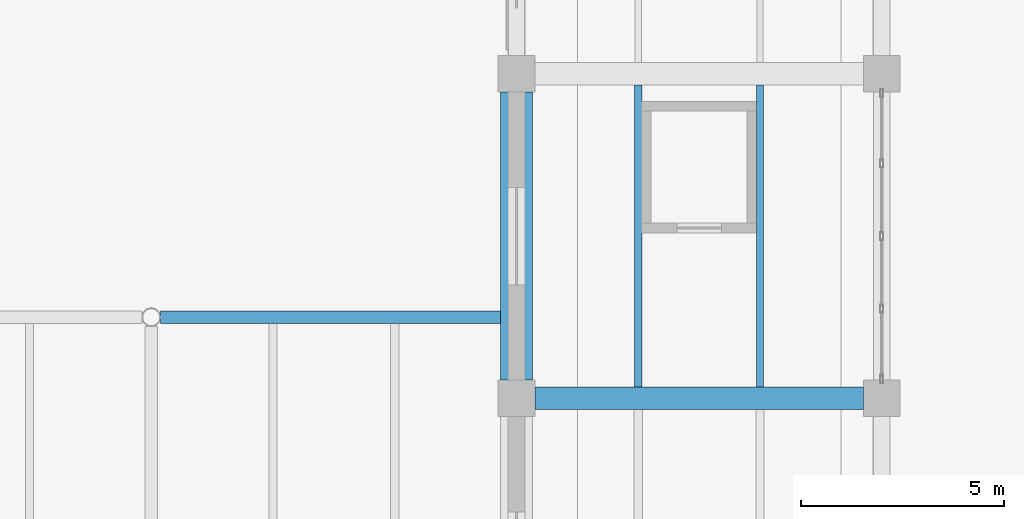
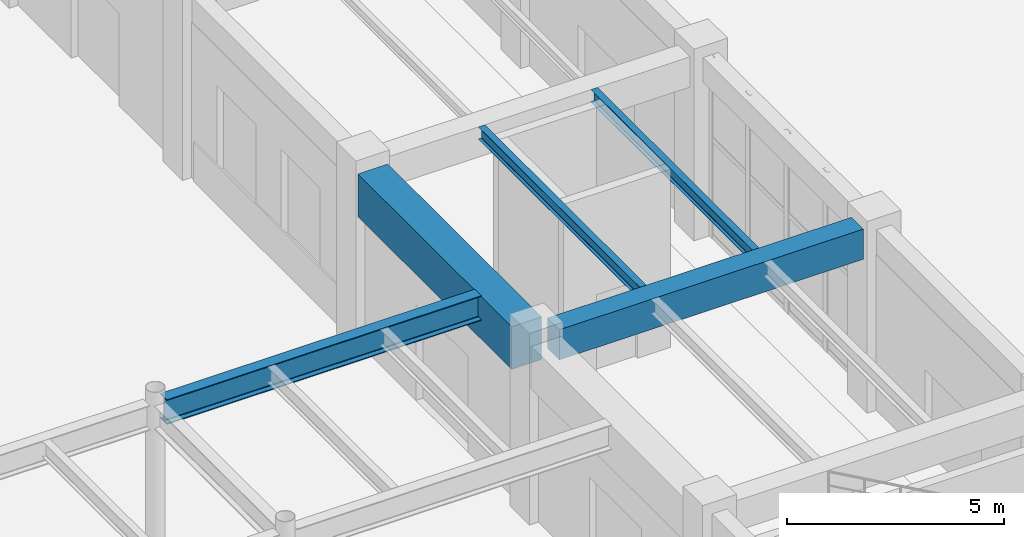
# One storey, part 30 of 121: 5 beams.
"""IFC4 building model written with IfcOpenShell, lengths in metres."""

import ifcopenshell
import ifcopenshell.guid

model = None  # the IFC model being written
_history = None  # IfcOwnerHistory: only IFC2X3 demands one
_inside = {}  # id of a spatial element -> (the spatial element, [elements in it])
_under = {}  # id of a project, library or spatial element -> (it, [spatial elements below it])
_declared = {}  # id of a project -> (the project, [libraries it declares])
_typed = {}  # id of a type object -> (the type object, [elements of that type])
_made_of = {}  # id of a material, layer set ... -> (it, [elements and type objects made of it])


def new_model(schema):
    """Start an empty IFC model of exactly this schema.

    Asked for "IFC4X3", IfcOpenShell would pick the latest addendum, in which some entities
    have other attributes; the version numbers below select the first issue.
    IFC2X3 requires an IfcOwnerHistory on every rooted entity: one is made here for all.
    """
    global model, _history
    if schema == "IFC4X3":
        model = ifcopenshell.file(schema_version=(4, 3, 0, 0))
    else:
        model = ifcopenshell.file(schema=schema)
    _inside.clear()
    _under.clear()
    _declared.clear()
    _typed.clear()
    _made_of.clear()
    _history = None
    if model.schema == "IFC2X3":
        org = make("IfcOrganization", Name="unknown")
        user = make(
            "IfcPersonAndOrganization",
            ThePerson=make("IfcPerson", FamilyName="unknown"),
            TheOrganization=org,
        )
        app = make(
            "IfcApplication",
            ApplicationDeveloper=org,
            Version="unknown",
            ApplicationFullName="unknown",
            ApplicationIdentifier="unknown",
        )
        _history = make(
            "IfcOwnerHistory",
            OwningUser=user,
            OwningApplication=app,
            ChangeAction="ADDED",
            CreationDate=0,
        )
    return model


def make(cls, **values):
    """One entity of the class cls with the attributes given. An attribute that is None is left unset."""
    return model.create_entity(
        cls, **{name: value for name, value in values.items() if value is not None}
    )


def rooted(cls, **values):
    """An entity with a GlobalId (a new one), such as an element, a storey or a relation."""
    return make(cls, GlobalId=ifcopenshell.guid.new(), OwnerHistory=_history, **values)


def si_unit(unit_type, name, prefix=None):
    """IfcSIUnit, for example si_unit("LENGTHUNIT", "METRE", prefix="MILLI")."""
    return make("IfcSIUnit", UnitType=unit_type, Prefix=prefix, Name=name)


def derived_unit(unit_type, elements):
    """IfcDerivedUnit: a product of units, each with its exponent."""
    return make(
        "IfcDerivedUnit",
        Elements=[
            make("IfcDerivedUnitElement", Unit=unit, Exponent=power)
            for unit, power in elements
        ],
        UnitType=unit_type,
    )


def assignment(units):
    """IfcUnitAssignment: the units of a project."""
    return None if units is None else make("IfcUnitAssignment", Units=units)


def point(xyz):
    """IfcCartesianPoint."""
    return None if xyz is None else make("IfcCartesianPoint", Coordinates=xyz)


def direction(xyz):
    """IfcDirection."""
    return None if xyz is None else make("IfcDirection", DirectionRatios=xyz)


def frame(location, z_axis=None, x_axis=None):
    """IfcAxis2Placement3D, a coordinate frame: its origin and axes. An axis left out is left unset."""
    return make(
        "IfcAxis2Placement3D",
        Location=point(location),
        Axis=direction(z_axis),
        RefDirection=direction(x_axis),
    )


def frame_2d(location, x_axis=None):
    """IfcAxis2Placement2D, a coordinate frame in the plane: its origin and x axis."""
    return make(
        "IfcAxis2Placement2D", Location=point(location), RefDirection=direction(x_axis)
    )


def origin():
    """The frame at (0, 0, 0) with its axes left unset."""
    return frame((0.0, 0.0, 0.0))


def origin_2d():
    """The frame at (0, 0) in the plane with its x axis left unset."""
    return frame_2d((0.0, 0.0))


def place(relative_to, where):
    """IfcLocalPlacement: puts the frame where relative to a parent placement (None: the world)."""
    return make(
        "IfcLocalPlacement", PlacementRelTo=relative_to, RelativePlacement=where
    )


def context(
    kind, dimensions, precision=None, world=None, true_north=None, identifier=None
):
    """IfcGeometricRepresentationContext, for example the 3D "Model" context."""
    return make(
        "IfcGeometricRepresentationContext",
        ContextIdentifier=identifier,
        ContextType=kind,
        CoordinateSpaceDimension=dimensions,
        Precision=precision,
        WorldCoordinateSystem=world,
        TrueNorth=true_north,
    )


def subcontext(parent, identifier, kind, view, scale=None):
    """IfcGeometricRepresentationSubContext, for example "Body" below "Model"."""
    return make(
        "IfcGeometricRepresentationSubContext",
        ContextIdentifier=identifier,
        ContextType=kind,
        ParentContext=parent,
        TargetScale=scale,
        TargetView=view,
    )


def project(units=None, contexts=None):
    """IfcProject with its units and contexts."""
    return rooted(
        "IfcProject",
        Name="project",
        RepresentationContexts=contexts,
        UnitsInContext=assignment(units),
    )


def spatial(cls, under=None, at=None, **own):
    """A site, building, storey or space (cls), placed at a placement, below another one or the project."""
    s = rooted(cls, ObjectPlacement=at, **own)
    if under is not None:
        _under.setdefault(under.id(), (under, []))[1].append(s)
    return s


def profile(cls, at=None, kind="AREA", **sizes):
    """A parametric profile (cls). Its sizes go by their IFC names, for example OverallWidth=200.0."""
    return make(cls, ProfileType=kind, Position=at, **sizes)


def rectangle(**sizes):
    """IfcRectangleProfileDef."""
    return profile("IfcRectangleProfileDef", **sizes)


def i_section(**sizes):
    """IfcIShapeProfileDef."""
    return profile("IfcIShapeProfileDef", **sizes)


def extrude(swept, where, along, depth):
    """IfcExtrudedAreaSolid: the profile swept, set in the frame where, extruded along a direction by depth."""
    return make(
        "IfcExtrudedAreaSolid",
        SweptArea=swept,
        Position=where,
        ExtrudedDirection=direction(along),
        Depth=depth,
    )


def shape(context_of_items, identifier, shape_type, items):
    """IfcShapeRepresentation: the items that make up one representation, for example the "Body"."""
    return make(
        "IfcShapeRepresentation",
        ContextOfItems=context_of_items,
        RepresentationIdentifier=identifier,
        RepresentationType=shape_type,
        Items=items,
    )


def material(Name=None, Category=None):
    """IfcMaterial."""
    return make("IfcMaterial", Name=Name, Category=Category)


def material_profile(
    of_material, cross_section, Name=None, Category=None, Priority=None
):
    """IfcMaterialProfile: a cross section and its material."""
    return make(
        "IfcMaterialProfile",
        Name=Name,
        Material=of_material,
        Profile=cross_section,
        Priority=Priority,
        Category=Category,
    )


def profile_set(profiles, Name=None, composite=None):
    """IfcMaterialProfileSet."""
    return make(
        "IfcMaterialProfileSet",
        Name=Name,
        MaterialProfiles=profiles,
        CompositeProfile=composite,
    )


def made_of(thing, what):
    """Note that an element or type object is made of a material, layer set ...; save() writes the relation."""
    if what is not None:
        _made_of.setdefault(what.id(), (what, []))[1].append(thing)
    return thing


def type_object(cls, material=None, **own):
    """A type object (cls), such as IfcWallType, which elements share."""
    return made_of(rooted(cls, **own), material)


def element(
    cls,
    number,
    at=None,
    inside=None,
    cuts=None,
    type_object=None,
    material=None,
    context=None,
    identifier="Body",
    shape_type=None,
    held_by="IfcProductDefinitionShape",
    body=None,
    shapes=None,
    **own,
):
    """One element of the class cls, such as IfcWall. Its Tag is "e" and its number.

    at: its placement. inside: the storey or other place that contains it. cuts: it is an
    opening in that element (IfcRelVoidsElement). A single representation is given by context,
    identifier, shape_type and body (its items); several are given by shapes. held_by: the class
    of the entity that holds the representations. save() writes the other relations.
    """
    e = rooted(cls, Tag="e%d" % number, ObjectPlacement=at, **own)
    if body is not None:
        shapes = [shape(context, identifier, shape_type, body)]
    if shapes is not None:
        e.Representation = make(held_by, Representations=shapes)
    if inside is not None:
        _inside.setdefault(inside.id(), (inside, []))[1].append(e)
    if cuts is not None:
        rooted(
            "IfcRelVoidsElement", RelatingBuildingElement=cuts, RelatedOpeningElement=e
        )
    if type_object is not None:
        _typed.setdefault(type_object.id(), (type_object, []))[1].append(e)
    return made_of(e, material)


def aggregate(whole, parts):
    """IfcRelAggregates: a whole, such as a stair, and the parts it consists of."""
    return rooted("IfcRelAggregates", RelatingObject=whole, RelatedObjects=parts)


def save(model, path):
    """Write the relations noted so far, then the file.

    IfcRelAggregates (storeys below a building ...), IfcRelContainedInSpatialStructure (elements
    in a storey), IfcRelDefinesByType, IfcRelAssociatesMaterial and IfcRelDeclares: one each for
    every whole, place, type object, material and project.
    """
    for whole, parts in _under.values():
        aggregate(whole, parts)
    for where, things in _inside.values():
        rooted(
            "IfcRelContainedInSpatialStructure",
            RelatedElements=things,
            RelatingStructure=where,
        )
    for kind, things in _typed.values():
        rooted("IfcRelDefinesByType", RelatedObjects=things, RelatingType=kind)
    for what, things in _made_of.values():
        rooted("IfcRelAssociatesMaterial", RelatedObjects=things, RelatingMaterial=what)
    for by, libraries in _declared.values():
        rooted("IfcRelDeclares", RelatingContext=by, RelatedDefinitions=libraries)
    model.write(path)


model = new_model("IFC4")

# Units and contexts
model_context = context("Model", 3, precision=1e-05, world=origin(), true_north=direction((0.0, 1.0)))
body_context = subcontext(model_context, "Body", "Model", "MODEL_VIEW")
ifc_project = project(units=[si_unit("LENGTHUNIT", "METRE"), si_unit("AREAUNIT", "SQUARE_METRE"), si_unit("VOLUMEUNIT", "CUBIC_METRE"), si_unit("PLANEANGLEUNIT", "RADIAN"), si_unit("MASSUNIT", "GRAM", prefix="KILO"), derived_unit("THERMALTRANSMITTANCEUNIT", [(si_unit("MASSUNIT", "GRAM", prefix="KILO"), 1), (si_unit("TIMEUNIT", "SECOND"), -3), (si_unit("THERMODYNAMICTEMPERATUREUNIT", "KELVIN"), -1)])], contexts=[model_context])

# Site, building, storey
site_placement = place(None, origin())
site = spatial("IfcSite", under=ifc_project, at=site_placement, CompositionType="ELEMENT")
building_placement = place(site_placement, origin())
building = spatial("IfcBuilding", under=site, at=building_placement, Name="Zhenchuan Archway Interchange", CompositionType="ELEMENT")
storey_placement = place(building_placement, origin())
storey = spatial("IfcBuildingStorey", under=building, at=storey_placement, Name="L00", CompositionType="ELEMENT", Elevation=0.0)

# Beams
ifc_material_1 = material(Name="Concrete C40", Category="concrete")
ifc_material_profile_1 = material_profile(ifc_material_1, rectangle(XDim=0.550048828125, YDim=0.85009765625, at=origin_2d()), Name="RC 550x850")
ifc_profile_set_1 = profile_set([ifc_material_profile_1], Name="Concrete C40")
beam_type_1 = type_object("IfcBeamType", Name="BM_RC_550x850", PredefinedType="BEAM", material=ifc_profile_set_1)
beam_1_placement = place(storey_placement, frame((99.449951171875, 56.0, 4.655029296875), z_axis=(1.0, 0.0, 0.0), x_axis=(0.0, 1.0, 0.0)))
element("IfcBeam", 1, at=beam_1_placement, inside=storey, type_object=beam_type_1, Name="Beam H:12-13 (L00)", PredefinedType="BEAM", context=body_context, shape_type="SweptSolid", body=[
    extrude(rectangle(XDim=0.550048828125, YDim=0.85009765625, at=origin_2d()), origin(), (0.0, 0.0, 1.0), 8.10009765625),
])
ifc_material_2 = material(Name="Concrete C50", Category="concrete")
ifc_material_profile_2 = material_profile(ifc_material_2, rectangle(XDim=0.800048828125, YDim=1.199951171875, at=origin_2d()), Name="RC 800x1200")
ifc_profile_set_2 = profile_set([ifc_material_profile_2], Name="Concrete C50")
beam_type_2 = type_object("IfcBeamType", Name="BM_RC_800x1200", PredefinedType="BEAM", material=ifc_profile_set_2)
beam_2_placement = place(storey_placement, frame((99.0, 56.449951171875, 4.419921875), z_axis=(0.0, 1.0, 0.0), x_axis=(-1.0, 0.0, 0.0)))
element("IfcBeam", 2, at=beam_2_placement, inside=storey, type_object=beam_type_2, Name="Beam 12:H-J (L00)", PredefinedType="BEAM", context=body_context, shape_type="SweptSolid", body=[
    extrude(rectangle(XDim=0.800048828125, YDim=1.199951171875, at=origin_2d()), origin(), (0.0, 0.0, 1.0), 7.10009765625),
])
ifc_material_3 = material(Name="Steel Q390", Category="steel")
ifc_material_profile_3 = material_profile(ifc_material_3, i_section(OverallWidth=0.300048828125, OverallDepth=0.699951171875, WebThickness=0.012939453125, FlangeThickness=0.02392578125, FilletRadius=0.02392578125, at=origin_2d()), Name="HN 700x300")
ifc_profile_set_3 = profile_set([ifc_material_profile_3], Name="Steel Q390")
beam_type_3 = type_object("IfcBeamType", Name="BM_STL_HN700", PredefinedType="BEAM", material=ifc_profile_set_3)
beam_3_placement = place(storey_placement, frame((90.228515625, 58.0, 4.699951171875), z_axis=(1.0, 0.0, 0.0), x_axis=(0.0, 1.0, 0.0)))
element("IfcBeam", 3, at=beam_3_placement, inside=storey, type_object=beam_type_3, Name="Footbridge primary deck girder E-N (L00)", PredefinedType="BEAM", context=body_context, shape_type="SweptSolid", body=[
    extrude(i_section(OverallWidth=0.300048828125, OverallDepth=0.699951171875, WebThickness=0.012939453125, FlangeThickness=0.02392578125, FilletRadius=0.02392578125, at=origin_2d()), origin(), (0.0, 0.0, 1.0), 8.37158203125),
])
ifc_material_4 = material(Name="Steel Q355", Category="steel")
ifc_material_profile_4 = material_profile(ifc_material_4, i_section(OverallWidth=0.175048828125, OverallDepth=0.35009765625, WebThickness=0.007080078125, FlangeThickness=0.010986328125, FilletRadius=0.013916015625, at=origin_2d()), Name="HN 350x175")
ifc_profile_set_4 = profile_set([ifc_material_profile_4], Name="Steel Q355")
beam_type_4 = type_object("IfcBeamType", Name="JST_STL_HN350", PredefinedType="JOIST", material=ifc_profile_set_4)
for number, where, z_axis, x_axis, name in (
    (4, (102.0, 56.27490234375, 4.905029296875), (0.0, 1.0, 0.0), (-1.0, 0.0, 0.0), "Secondary joist 12-13/H-J #1 (L00)"),
    (5, (105.0, 56.27490234375, 4.905029296875), (0.0, 1.0, 0.0), (-1.0, 0.0, 0.0), "Secondary joist 12-13/H-J #2 (L00)"),
):
    element("IfcBeam", number, at=place(storey_placement, frame(where, z_axis=z_axis, x_axis=x_axis)), inside=storey, type_object=beam_type_4, Name=name, PredefinedType="JOIST", context=body_context, shape_type="SweptSolid", body=[
        extrude(i_section(OverallWidth=0.175048828125, OverallDepth=0.35009765625, WebThickness=0.007080078125, FlangeThickness=0.010986328125, FilletRadius=0.013916015625, at=origin_2d()), origin(), (0.0, 0.0, 1.0), 7.4501953125),
    ])

save(model, "model.ifc")
